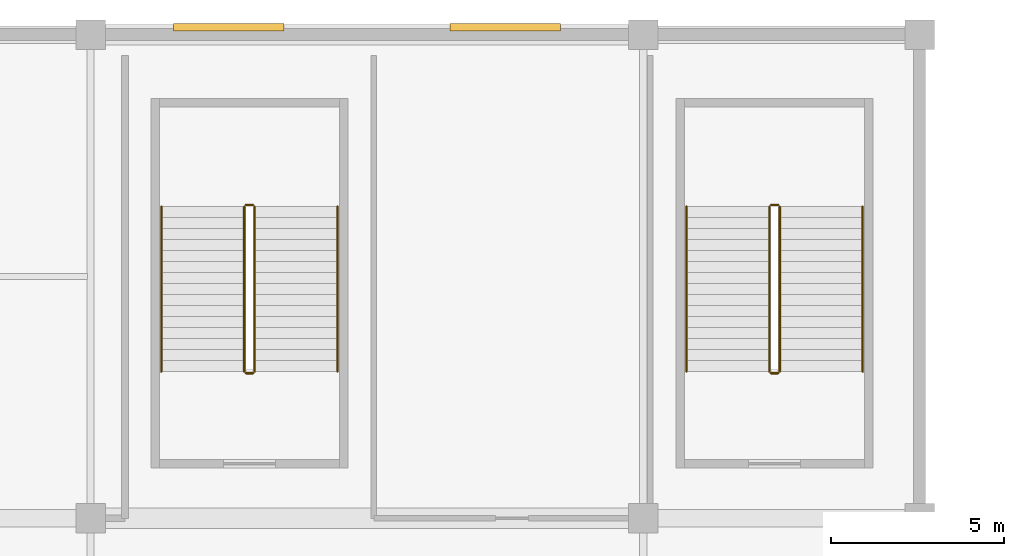
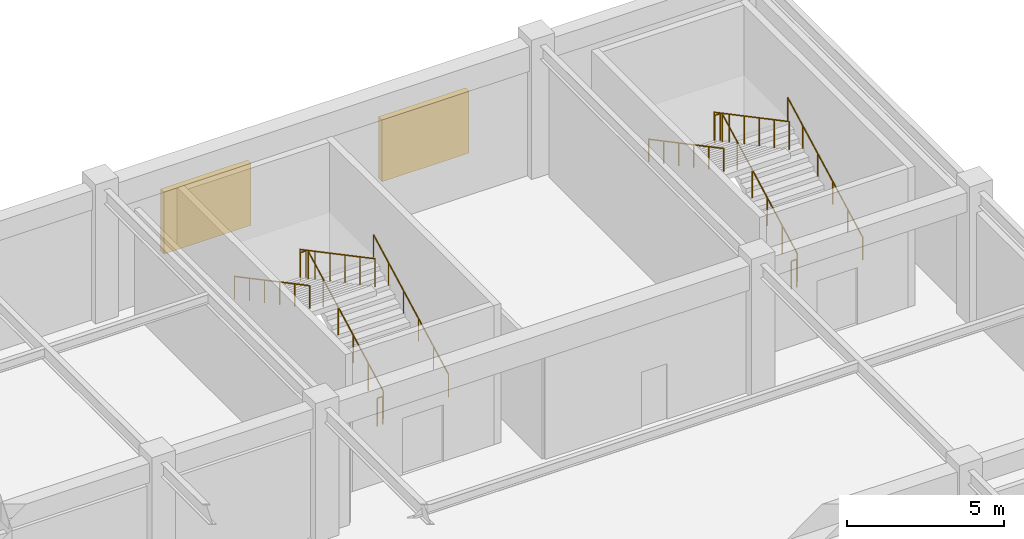
# One storey, part 120 of 120: 12 railings, 2 shading devices.
"""IFC4 building model written with IfcOpenShell, lengths in metres."""

from ifc_helpers import new_model, si_unit, direction, frame, origin, origin_2d, place, context, subcontext, project, spatial, rectangle, circle, extrude, material, type_object, element, save


model = new_model("IFC4")

# Units and contexts
model_context = context("Model", 3, precision=1e-05, world=origin(), true_north=direction((0.0, 1.0)))
body_context = subcontext(model_context, "Body", "Model", "MODEL_VIEW")
ifc_project = project(units=[si_unit("LENGTHUNIT", "METRE"), si_unit("AREAUNIT", "SQUARE_METRE"), si_unit("VOLUMEUNIT", "CUBIC_METRE"), si_unit("PLANEANGLEUNIT", "RADIAN"), si_unit("MASSUNIT", "GRAM", prefix="KILO")], contexts=[model_context])

# Site, building, storey
site_placement = place(None, origin())
site = spatial("IfcSite", under=ifc_project, at=site_placement, CompositionType="ELEMENT")
building_placement = place(site_placement, origin())
building = spatial("IfcBuilding", under=site, at=building_placement, Name="Cuetzalor Civic Arena", CompositionType="ELEMENT")
storey_placement = place(building_placement, frame((0.0, 0.0, 6.0)))
storey = spatial("IfcBuildingStorey", under=building, at=storey_placement, Name="L01", CompositionType="ELEMENT", Elevation=6.0)

# Shading devices
ifc_material_1 = material(Name="Charcoal acoustic anodised aluminium louvre", Category="aluminium")
shading_device_type = type_object("IfcShadingDeviceType", Name="AcousticPlantLouvre_Jalousie", PredefinedType="JALOUSIE", material=ifc_material_1)
for number, where, z_axis, x_axis, name in (
    (1, (52.0, 75.719970703125, 1.400146484375), (0.0, 0.0, 1.0), (1.0, 0.0, 0.0), "Acoustic Plant Intake Louvre L01-07"),
    (2, (60.0, 75.719970703125, 1.400146484375), (0.0, 0.0, 1.0), (1.0, 0.0, 0.0), "Acoustic Plant Intake Louvre L01-08"),
):
    element("IfcShadingDevice", number, at=place(storey_placement, frame(where, z_axis=z_axis, x_axis=x_axis)), inside=storey, type_object=shading_device_type, Name=name, PredefinedType="JALOUSIE", context=body_context, shape_type="SweptSolid", body=[
        extrude(rectangle(XDim=3.199951171875, YDim=0.219970703125, at=origin_2d()), origin(), (0.0, 0.0, 1.0), 2.39990234375),
    ])

# Railings
ifc_material_2 = material(Name="Reseda-green architectural Steel S355 balustrade", Category="steel")
railing_type_1 = type_object("IfcRailingType", Name="InteriorVoidBalustrade_1100", PredefinedType="BALUSTRADE", material=ifc_material_2)
railing_1_placement = place(storey_placement, frame((52.75, 65.75, 0.168701171875)))
element("IfcRailing", 3, at=railing_1_placement, inside=storey, type_object=railing_type_1, Name="L01 ST-27 stair guard 1", PredefinedType="BALUSTRADE", context=body_context, shape_type="SweptSolid", body=[
    extrude(circle(Radius=0.02392578125, at=origin_2d()), frame((0.0, 0.0, 1.0810546875), z_axis=(0.0, 0.883332211103, 0.468747485143), x_axis=(-1.0, 0.0, 0.0)), (0.0, 0.0, 1.0), 5.400146484375),
    extrude(circle(Radius=0.02099609375, at=origin_2d()), origin(), (0.0, 0.0, 1.0), 1.056884765625),
    extrude(circle(Radius=0.02099609375, at=origin_2d()), frame((0.0, 0.9541015625, 0.50634765625)), (0.0, 0.0, 1.0), 1.056884765625),
    extrude(circle(Radius=0.02099609375, at=origin_2d()), frame((0.0, 1.907958984375, 1.012451171875)), (0.0, 0.0, 1.0), 1.056884765625),
    extrude(circle(Radius=0.02099609375, at=origin_2d()), frame((0.0, 2.862060546875, 1.518798828125)), (0.0, 0.0, 1.0), 1.056884765625),
    extrude(circle(Radius=0.02099609375, at=origin_2d()), frame((0.0, 3.81591796875, 2.02490234375)), (0.0, 0.0, 1.0), 1.056884765625),
    extrude(circle(Radius=0.02099609375, at=origin_2d()), frame((0.0, 4.77001953125, 2.53125)), (0.0, 0.0, 1.0), 1.056884765625),
])
railing_2_placement = place(storey_placement, frame((52.699951171875, 70.570068359375, 2.699951171875)))
element("IfcRailing", 4, at=railing_2_placement, inside=storey, type_object=railing_type_1, Name="L01 ST-27 stair guard 2", PredefinedType="BALUSTRADE", context=body_context, shape_type="SweptSolid", body=[
    extrude(circle(Radius=0.02392578125, at=origin_2d()), frame((0.0, 0.0, 1.0810546875), z_axis=(-1.0, 0.0, 0.0), x_axis=(0.0, -1.0, 0.0)), (0.0, 0.0, 1.0), 0.199951171875),
    extrude(circle(Radius=0.02099609375, at=origin_2d()), origin(), (0.0, 0.0, 1.0), 1.056884765625),
    extrude(circle(Radius=0.02099609375, at=origin_2d()), frame((-0.199951171875, 0.0, 0.0)), (0.0, 0.0, 1.0), 1.056884765625),
])
railing_3_placement = place(storey_placement, frame((52.449951171875, 70.52001953125, 2.86865234375)))
element("IfcRailing", 5, at=railing_3_placement, inside=storey, type_object=railing_type_1, Name="L01 ST-27 stair guard 3", PredefinedType="BALUSTRADE", context=body_context, shape_type="SweptSolid", body=[
    extrude(circle(Radius=0.02392578125, at=origin_2d()), frame((0.0, 0.0, 1.0810546875), z_axis=(0.0, -0.883332211103, 0.468747485143), x_axis=(1.0, 0.0, 0.0)), (0.0, 0.0, 1.0), 5.400146484375),
    extrude(circle(Radius=0.02099609375, at=origin_2d()), origin(), (0.0, 0.0, 1.0), 1.056884765625),
    extrude(circle(Radius=0.02099609375, at=origin_2d()), frame((0.0, -0.9541015625, 0.50634765625)), (0.0, 0.0, 1.0), 1.056884765625),
    extrude(circle(Radius=0.02099609375, at=origin_2d()), frame((0.0, -1.907958984375, 1.012451171875)), (0.0, 0.0, 1.0), 1.056884765625),
    extrude(circle(Radius=0.02099609375, at=origin_2d()), frame((0.0, -2.862060546875, 1.518798828125)), (0.0, 0.0, 1.0), 1.056884765625),
    extrude(circle(Radius=0.02099609375, at=origin_2d()), frame((0.0, -3.81591796875, 2.02490234375)), (0.0, 0.0, 1.0), 1.056884765625),
    extrude(circle(Radius=0.02099609375, at=origin_2d()), frame((0.0, -4.77001953125, 2.53125)), (0.0, 0.0, 1.0), 1.056884765625),
])
railing_4_placement = place(storey_placement, frame((52.699951171875, 65.699951171875, 0.0)))
element("IfcRailing", 6, at=railing_4_placement, inside=storey, type_object=railing_type_1, Name="L01 ST-27 stair guard 4", PredefinedType="BALUSTRADE", context=body_context, shape_type="SweptSolid", body=[
    extrude(circle(Radius=0.02392578125, at=origin_2d()), frame((0.0, 0.0, 1.0810546875), z_axis=(-1.0, 0.0, 0.0), x_axis=(0.0, -1.0, 0.0)), (0.0, 0.0, 1.0), 0.199951171875),
    extrude(circle(Radius=0.02099609375, at=origin_2d()), origin(), (0.0, 0.0, 1.0), 1.056884765625),
    extrude(circle(Radius=0.02099609375, at=origin_2d()), frame((-0.199951171875, 0.0, 0.0)), (0.0, 0.0, 1.0), 1.056884765625),
])
railing_5_placement = place(storey_placement, frame((67.949951171875, 65.75, 0.168701171875)))
element("IfcRailing", 7, at=railing_5_placement, inside=storey, type_object=railing_type_1, Name="L01 ST-28 stair guard 1", PredefinedType="BALUSTRADE", context=body_context, shape_type="SweptSolid", body=[
    extrude(circle(Radius=0.02392578125, at=origin_2d()), frame((0.0, 0.0, 1.0810546875), z_axis=(0.0, 0.883332211103, 0.468747485143), x_axis=(-1.0, 0.0, 0.0)), (0.0, 0.0, 1.0), 5.400146484375),
    extrude(circle(Radius=0.02099609375, at=origin_2d()), origin(), (0.0, 0.0, 1.0), 1.056884765625),
    extrude(circle(Radius=0.02099609375, at=origin_2d()), frame((0.0, 0.9541015625, 0.50634765625)), (0.0, 0.0, 1.0), 1.056884765625),
    extrude(circle(Radius=0.02099609375, at=origin_2d()), frame((0.0, 1.907958984375, 1.012451171875)), (0.0, 0.0, 1.0), 1.056884765625),
    extrude(circle(Radius=0.02099609375, at=origin_2d()), frame((0.0, 2.862060546875, 1.518798828125)), (0.0, 0.0, 1.0), 1.056884765625),
    extrude(circle(Radius=0.02099609375, at=origin_2d()), frame((0.0, 3.81591796875, 2.02490234375)), (0.0, 0.0, 1.0), 1.056884765625),
    extrude(circle(Radius=0.02099609375, at=origin_2d()), frame((0.0, 4.77001953125, 2.53125)), (0.0, 0.0, 1.0), 1.056884765625),
])
railing_6_placement = place(storey_placement, frame((67.89990234375, 70.570068359375, 2.699951171875)))
element("IfcRailing", 8, at=railing_6_placement, inside=storey, type_object=railing_type_1, Name="L01 ST-28 stair guard 2", PredefinedType="BALUSTRADE", context=body_context, shape_type="SweptSolid", body=[
    extrude(circle(Radius=0.02392578125, at=origin_2d()), frame((0.0, 0.0, 1.0810546875), z_axis=(-1.0, 0.0, 0.0), x_axis=(0.0, -1.0, 0.0)), (0.0, 0.0, 1.0), 0.199951171875),
    extrude(circle(Radius=0.02099609375, at=origin_2d()), origin(), (0.0, 0.0, 1.0), 1.056884765625),
    extrude(circle(Radius=0.02099609375, at=origin_2d()), frame((-0.199951171875, 0.0, 0.0)), (0.0, 0.0, 1.0), 1.056884765625),
])
railing_7_placement = place(storey_placement, frame((67.64990234375, 70.52001953125, 2.86865234375)))
element("IfcRailing", 9, at=railing_7_placement, inside=storey, type_object=railing_type_1, Name="L01 ST-28 stair guard 3", PredefinedType="BALUSTRADE", context=body_context, shape_type="SweptSolid", body=[
    extrude(circle(Radius=0.02392578125, at=origin_2d()), frame((0.0, 0.0, 1.0810546875), z_axis=(0.0, -0.883332211103, 0.468747485143), x_axis=(1.0, 0.0, 0.0)), (0.0, 0.0, 1.0), 5.400146484375),
    extrude(circle(Radius=0.02099609375, at=origin_2d()), origin(), (0.0, 0.0, 1.0), 1.056884765625),
    extrude(circle(Radius=0.02099609375, at=origin_2d()), frame((0.0, -0.9541015625, 0.50634765625)), (0.0, 0.0, 1.0), 1.056884765625),
    extrude(circle(Radius=0.02099609375, at=origin_2d()), frame((0.0, -1.907958984375, 1.012451171875)), (0.0, 0.0, 1.0), 1.056884765625),
    extrude(circle(Radius=0.02099609375, at=origin_2d()), frame((0.0, -2.862060546875, 1.518798828125)), (0.0, 0.0, 1.0), 1.056884765625),
    extrude(circle(Radius=0.02099609375, at=origin_2d()), frame((0.0, -3.81591796875, 2.02490234375)), (0.0, 0.0, 1.0), 1.056884765625),
    extrude(circle(Radius=0.02099609375, at=origin_2d()), frame((0.0, -4.77001953125, 2.53125)), (0.0, 0.0, 1.0), 1.056884765625),
])
railing_8_placement = place(storey_placement, frame((67.89990234375, 65.699951171875, 0.0)))
element("IfcRailing", 10, at=railing_8_placement, inside=storey, type_object=railing_type_1, Name="L01 ST-28 stair guard 4", PredefinedType="BALUSTRADE", context=body_context, shape_type="SweptSolid", body=[
    extrude(circle(Radius=0.02392578125, at=origin_2d()), frame((0.0, 0.0, 1.0810546875), z_axis=(-1.0, 0.0, 0.0), x_axis=(0.0, -1.0, 0.0)), (0.0, 0.0, 1.0), 0.199951171875),
    extrude(circle(Radius=0.02099609375, at=origin_2d()), origin(), (0.0, 0.0, 1.0), 1.056884765625),
    extrude(circle(Radius=0.02099609375, at=origin_2d()), frame((-0.199951171875, 0.0, 0.0)), (0.0, 0.0, 1.0), 1.056884765625),
])
ifc_material_3 = material(Name="Galvanised steel S355", Category="steel")
railing_type_2 = type_object("IfcRailingType", Name="StairPitchHandrail_900", PredefinedType="HANDRAIL", material=ifc_material_3)
railing_9_placement = place(storey_placement, frame((55.14990234375, 65.75, 0.168701171875)))
element("IfcRailing", 11, at=railing_9_placement, inside=storey, type_object=railing_type_2, Name="L01 ST-27 stair handrail 1", PredefinedType="HANDRAIL", context=body_context, shape_type="SweptSolid", body=[
    extrude(circle(Radius=0.02392578125, at=origin_2d()), frame((0.0, 0.0, 0.8759765625), z_axis=(0.0, 0.883332211103, 0.468747485143), x_axis=(-1.0, 0.0, 0.0)), (0.0, 0.0, 1.0), 5.400146484375),
    extrude(circle(Radius=0.02099609375, at=origin_2d()), origin(), (0.0, 0.0, 1.0), 0.851806640625),
    extrude(circle(Radius=0.02099609375, at=origin_2d()), frame((0.0, 0.9541015625, 0.50634765625)), (0.0, 0.0, 1.0), 0.851806640625),
    extrude(circle(Radius=0.02099609375, at=origin_2d()), frame((0.0, 1.907958984375, 1.012451171875)), (0.0, 0.0, 1.0), 0.851806640625),
    extrude(circle(Radius=0.02099609375, at=origin_2d()), frame((0.0, 2.862060546875, 1.518798828125)), (0.0, 0.0, 1.0), 0.851806640625),
    extrude(circle(Radius=0.02099609375, at=origin_2d()), frame((0.0, 3.81591796875, 2.02490234375)), (0.0, 0.0, 1.0), 0.851806640625),
    extrude(circle(Radius=0.02099609375, at=origin_2d()), frame((0.0, 4.77001953125, 2.53125)), (0.0, 0.0, 1.0), 0.851806640625),
])
railing_10_placement = place(storey_placement, frame((50.050048828125, 70.52001953125, 2.86865234375)))
element("IfcRailing", 12, at=railing_10_placement, inside=storey, type_object=railing_type_2, Name="L01 ST-27 stair handrail 2", PredefinedType="HANDRAIL", context=body_context, shape_type="SweptSolid", body=[
    extrude(circle(Radius=0.02392578125, at=origin_2d()), frame((0.0, 0.0, 0.8759765625), z_axis=(0.0, -0.883332211103, 0.468747485143), x_axis=(1.0, 0.0, 0.0)), (0.0, 0.0, 1.0), 5.400146484375),
    extrude(circle(Radius=0.02099609375, at=origin_2d()), origin(), (0.0, 0.0, 1.0), 0.851806640625),
    extrude(circle(Radius=0.02099609375, at=origin_2d()), frame((0.0, -0.9541015625, 0.50634765625)), (0.0, 0.0, 1.0), 0.851806640625),
    extrude(circle(Radius=0.02099609375, at=origin_2d()), frame((0.0, -1.907958984375, 1.012451171875)), (0.0, 0.0, 1.0), 0.851806640625),
    extrude(circle(Radius=0.02099609375, at=origin_2d()), frame((0.0, -2.862060546875, 1.518798828125)), (0.0, 0.0, 1.0), 0.851806640625),
    extrude(circle(Radius=0.02099609375, at=origin_2d()), frame((0.0, -3.81591796875, 2.02490234375)), (0.0, 0.0, 1.0), 0.851806640625),
    extrude(circle(Radius=0.02099609375, at=origin_2d()), frame((0.0, -4.77001953125, 2.53125)), (0.0, 0.0, 1.0), 0.851806640625),
])
railing_11_placement = place(storey_placement, frame((70.35009765625, 65.75, 0.168701171875)))
element("IfcRailing", 13, at=railing_11_placement, inside=storey, type_object=railing_type_2, Name="L01 ST-28 stair handrail 1", PredefinedType="HANDRAIL", context=body_context, shape_type="SweptSolid", body=[
    extrude(circle(Radius=0.02392578125, at=origin_2d()), frame((0.0, 0.0, 0.8759765625), z_axis=(0.0, 0.883332211103, 0.468747485143), x_axis=(-1.0, 0.0, 0.0)), (0.0, 0.0, 1.0), 5.400146484375),
    extrude(circle(Radius=0.02099609375, at=origin_2d()), origin(), (0.0, 0.0, 1.0), 0.851806640625),
    extrude(circle(Radius=0.02099609375, at=origin_2d()), frame((0.0, 0.9541015625, 0.50634765625)), (0.0, 0.0, 1.0), 0.851806640625),
    extrude(circle(Radius=0.02099609375, at=origin_2d()), frame((0.0, 1.907958984375, 1.012451171875)), (0.0, 0.0, 1.0), 0.851806640625),
    extrude(circle(Radius=0.02099609375, at=origin_2d()), frame((0.0, 2.862060546875, 1.518798828125)), (0.0, 0.0, 1.0), 0.851806640625),
    extrude(circle(Radius=0.02099609375, at=origin_2d()), frame((0.0, 3.81591796875, 2.02490234375)), (0.0, 0.0, 1.0), 0.851806640625),
    extrude(circle(Radius=0.02099609375, at=origin_2d()), frame((0.0, 4.77001953125, 2.53125)), (0.0, 0.0, 1.0), 0.851806640625),
])
railing_12_placement = place(storey_placement, frame((65.25, 70.52001953125, 2.86865234375)))
element("IfcRailing", 14, at=railing_12_placement, inside=storey, type_object=railing_type_2, Name="L01 ST-28 stair handrail 2", PredefinedType="HANDRAIL", context=body_context, shape_type="SweptSolid", body=[
    extrude(circle(Radius=0.02392578125, at=origin_2d()), frame((0.0, 0.0, 0.8759765625), z_axis=(0.0, -0.883332211103, 0.468747485143), x_axis=(1.0, 0.0, 0.0)), (0.0, 0.0, 1.0), 5.400146484375),
    extrude(circle(Radius=0.02099609375, at=origin_2d()), origin(), (0.0, 0.0, 1.0), 0.851806640625),
    extrude(circle(Radius=0.02099609375, at=origin_2d()), frame((0.0, -0.9541015625, 0.50634765625)), (0.0, 0.0, 1.0), 0.851806640625),
    extrude(circle(Radius=0.02099609375, at=origin_2d()), frame((0.0, -1.907958984375, 1.012451171875)), (0.0, 0.0, 1.0), 0.851806640625),
    extrude(circle(Radius=0.02099609375, at=origin_2d()), frame((0.0, -2.862060546875, 1.518798828125)), (0.0, 0.0, 1.0), 0.851806640625),
    extrude(circle(Radius=0.02099609375, at=origin_2d()), frame((0.0, -3.81591796875, 2.02490234375)), (0.0, 0.0, 1.0), 0.851806640625),
    extrude(circle(Radius=0.02099609375, at=origin_2d()), frame((0.0, -4.77001953125, 2.53125)), (0.0, 0.0, 1.0), 0.851806640625),
])

save(model, "model.ifc")
